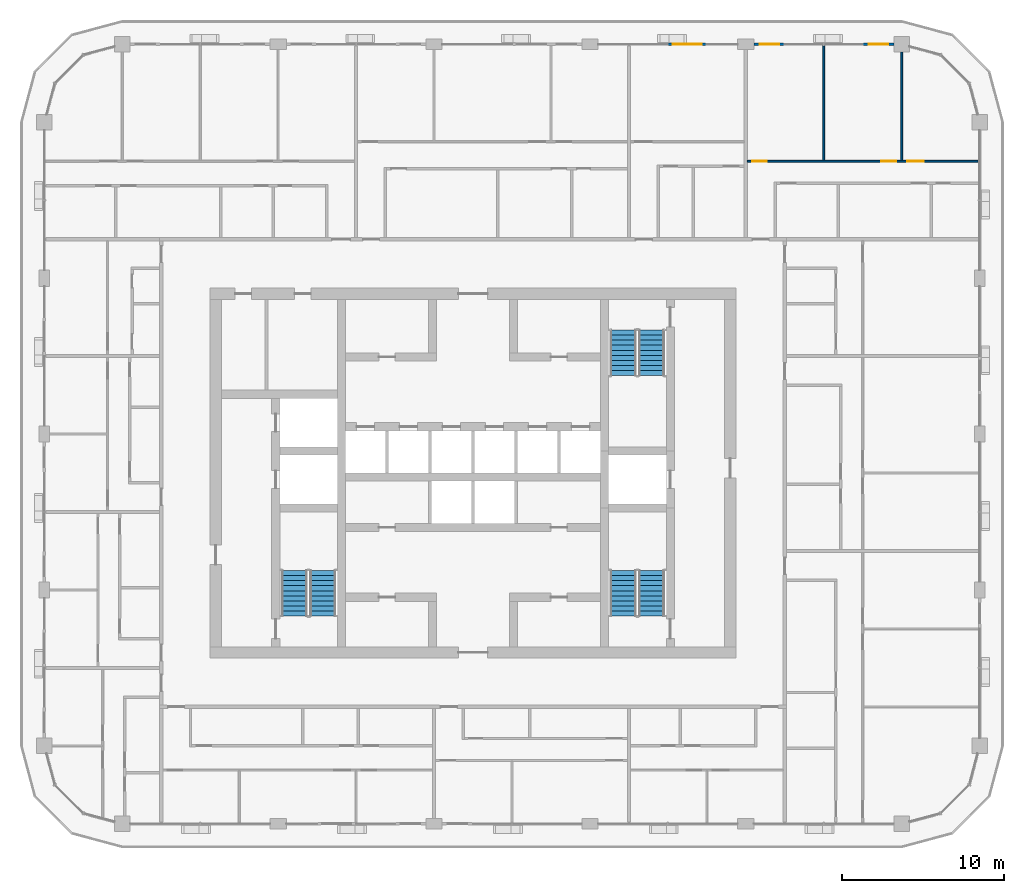
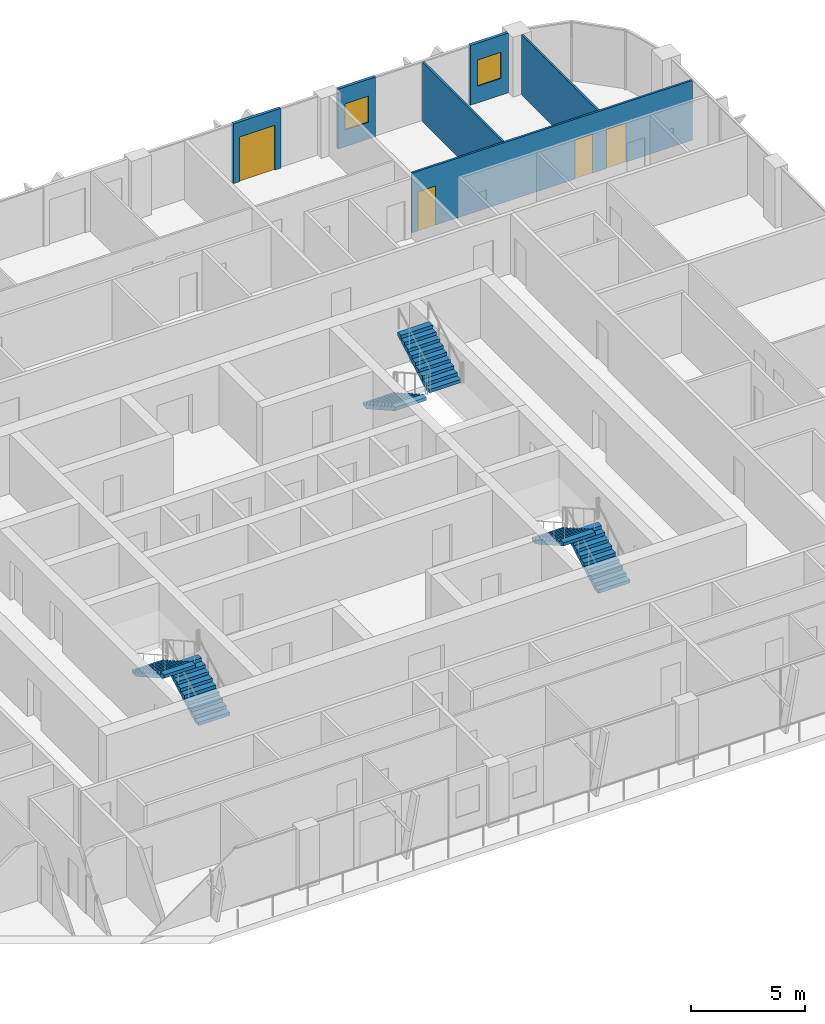
# One storey, part 15 of 22: 6 stair flights, 6 walls, 4 doors, 2 windows, 6 openings, 3 elements without a shape of their own.
"""IFC4 building model written with IfcOpenShell, lengths in metres."""

import ifcopenshell
import ifcopenshell.guid

model = None  # the IFC model being written
_history = None  # IfcOwnerHistory: only IFC2X3 demands one
_inside = {}  # id of a spatial element -> (the spatial element, [elements in it])
_under = {}  # id of a project, library or spatial element -> (it, [spatial elements below it])
_declared = {}  # id of a project -> (the project, [libraries it declares])
_typed = {}  # id of a type object -> (the type object, [elements of that type])
_made_of = {}  # id of a material, layer set ... -> (it, [elements and type objects made of it])


def new_model(schema):
    """Start an empty IFC model of exactly this schema.

    Asked for "IFC4X3", IfcOpenShell would pick the latest addendum, in which some entities
    have other attributes; the version numbers below select the first issue.
    IFC2X3 requires an IfcOwnerHistory on every rooted entity: one is made here for all.
    """
    global model, _history
    if schema == "IFC4X3":
        model = ifcopenshell.file(schema_version=(4, 3, 0, 0))
    else:
        model = ifcopenshell.file(schema=schema)
    _inside.clear()
    _under.clear()
    _declared.clear()
    _typed.clear()
    _made_of.clear()
    _history = None
    if model.schema == "IFC2X3":
        org = make("IfcOrganization", Name="unknown")
        user = make(
            "IfcPersonAndOrganization",
            ThePerson=make("IfcPerson", FamilyName="unknown"),
            TheOrganization=org,
        )
        app = make(
            "IfcApplication",
            ApplicationDeveloper=org,
            Version="unknown",
            ApplicationFullName="unknown",
            ApplicationIdentifier="unknown",
        )
        _history = make(
            "IfcOwnerHistory",
            OwningUser=user,
            OwningApplication=app,
            ChangeAction="ADDED",
            CreationDate=0,
        )
    return model


def make(cls, **values):
    """One entity of the class cls with the attributes given. An attribute that is None is left unset."""
    return model.create_entity(
        cls, **{name: value for name, value in values.items() if value is not None}
    )


def rooted(cls, **values):
    """An entity with a GlobalId (a new one), such as an element, a storey or a relation."""
    return make(cls, GlobalId=ifcopenshell.guid.new(), OwnerHistory=_history, **values)


def si_unit(unit_type, name, prefix=None):
    """IfcSIUnit, for example si_unit("LENGTHUNIT", "METRE", prefix="MILLI")."""
    return make("IfcSIUnit", UnitType=unit_type, Prefix=prefix, Name=name)


def assignment(units):
    """IfcUnitAssignment: the units of a project."""
    return None if units is None else make("IfcUnitAssignment", Units=units)


def point(xyz):
    """IfcCartesianPoint."""
    return None if xyz is None else make("IfcCartesianPoint", Coordinates=xyz)


def direction(xyz):
    """IfcDirection."""
    return None if xyz is None else make("IfcDirection", DirectionRatios=xyz)


def frame(location, z_axis=None, x_axis=None):
    """IfcAxis2Placement3D, a coordinate frame: its origin and axes. An axis left out is left unset."""
    return make(
        "IfcAxis2Placement3D",
        Location=point(location),
        Axis=direction(z_axis),
        RefDirection=direction(x_axis),
    )


def frame_2d(location, x_axis=None):
    """IfcAxis2Placement2D, a coordinate frame in the plane: its origin and x axis."""
    return make(
        "IfcAxis2Placement2D", Location=point(location), RefDirection=direction(x_axis)
    )


def origin():
    """The frame at (0, 0, 0) with its axes left unset."""
    return frame((0.0, 0.0, 0.0))


def place(relative_to, where):
    """IfcLocalPlacement: puts the frame where relative to a parent placement (None: the world)."""
    return make(
        "IfcLocalPlacement", PlacementRelTo=relative_to, RelativePlacement=where
    )


def context(
    kind, dimensions, precision=None, world=None, true_north=None, identifier=None
):
    """IfcGeometricRepresentationContext, for example the 3D "Model" context."""
    return make(
        "IfcGeometricRepresentationContext",
        ContextIdentifier=identifier,
        ContextType=kind,
        CoordinateSpaceDimension=dimensions,
        Precision=precision,
        WorldCoordinateSystem=world,
        TrueNorth=true_north,
    )


def subcontext(parent, identifier, kind, view, scale=None):
    """IfcGeometricRepresentationSubContext, for example "Body" below "Model"."""
    return make(
        "IfcGeometricRepresentationSubContext",
        ContextIdentifier=identifier,
        ContextType=kind,
        ParentContext=parent,
        TargetScale=scale,
        TargetView=view,
    )


def project(units=None, contexts=None):
    """IfcProject with its units and contexts."""
    return rooted(
        "IfcProject",
        Name="project",
        RepresentationContexts=contexts,
        UnitsInContext=assignment(units),
    )


def spatial(cls, under=None, at=None, **own):
    """A site, building, storey or space (cls), placed at a placement, below another one or the project."""
    s = rooted(cls, ObjectPlacement=at, **own)
    if under is not None:
        _under.setdefault(under.id(), (under, []))[1].append(s)
    return s


def polyline(points):
    """IfcPolyline through the points."""
    return make("IfcPolyline", Points=[point(p) for p in points])


def profile(cls, at=None, kind="AREA", **sizes):
    """A parametric profile (cls). Its sizes go by their IFC names, for example OverallWidth=200.0."""
    return make(cls, ProfileType=kind, Position=at, **sizes)


def rectangle(**sizes):
    """IfcRectangleProfileDef."""
    return profile("IfcRectangleProfileDef", **sizes)


def outline(outer, holes=None, kind="AREA"):
    """IfcArbitraryClosedProfileDef: a profile drawn as a closed curve; with holes, ...WithVoids."""
    if holes is None:
        return make("IfcArbitraryClosedProfileDef", ProfileType=kind, OuterCurve=outer)
    return make(
        "IfcArbitraryProfileDefWithVoids",
        ProfileType=kind,
        OuterCurve=outer,
        InnerCurves=holes,
    )


def extrude(swept, where, along, depth):
    """IfcExtrudedAreaSolid: the profile swept, set in the frame where, extruded along a direction by depth."""
    return make(
        "IfcExtrudedAreaSolid",
        SweptArea=swept,
        Position=where,
        ExtrudedDirection=direction(along),
        Depth=depth,
    )


def shape(context_of_items, identifier, shape_type, items):
    """IfcShapeRepresentation: the items that make up one representation, for example the "Body"."""
    return make(
        "IfcShapeRepresentation",
        ContextOfItems=context_of_items,
        RepresentationIdentifier=identifier,
        RepresentationType=shape_type,
        Items=items,
    )


def material(Name=None, Category=None):
    """IfcMaterial."""
    return make("IfcMaterial", Name=Name, Category=Category)


def layer(
    of_material, thickness, ventilated=None, Name=None, Category=None, Priority=None
):
    """IfcMaterialLayer: one layer of a wall or slab, of a material (None: an air gap)."""
    return make(
        "IfcMaterialLayer",
        Material=of_material,
        LayerThickness=thickness,
        IsVentilated=ventilated,
        Name=Name,
        Category=Category,
        Priority=Priority,
    )


def layer_set(layers, Name=None):
    """IfcMaterialLayerSet."""
    return make("IfcMaterialLayerSet", MaterialLayers=layers, LayerSetName=Name)


def made_of(thing, what):
    """Note that an element or type object is made of a material, layer set ...; save() writes the relation."""
    if what is not None:
        _made_of.setdefault(what.id(), (what, []))[1].append(thing)
    return thing


def type_object(cls, material=None, **own):
    """A type object (cls), such as IfcWallType, which elements share."""
    return made_of(rooted(cls, **own), material)


def element(
    cls,
    number,
    at=None,
    inside=None,
    cuts=None,
    type_object=None,
    material=None,
    context=None,
    identifier="Body",
    shape_type=None,
    held_by="IfcProductDefinitionShape",
    body=None,
    shapes=None,
    **own,
):
    """One element of the class cls, such as IfcWall. Its Tag is "e" and its number.

    at: its placement. inside: the storey or other place that contains it. cuts: it is an
    opening in that element (IfcRelVoidsElement). A single representation is given by context,
    identifier, shape_type and body (its items); several are given by shapes. held_by: the class
    of the entity that holds the representations. save() writes the other relations.
    """
    e = rooted(cls, Tag="e%d" % number, ObjectPlacement=at, **own)
    if body is not None:
        shapes = [shape(context, identifier, shape_type, body)]
    if shapes is not None:
        e.Representation = make(held_by, Representations=shapes)
    if inside is not None:
        _inside.setdefault(inside.id(), (inside, []))[1].append(e)
    if cuts is not None:
        rooted(
            "IfcRelVoidsElement", RelatingBuildingElement=cuts, RelatedOpeningElement=e
        )
    if type_object is not None:
        _typed.setdefault(type_object.id(), (type_object, []))[1].append(e)
    return made_of(e, material)


def fill(opening, filler):
    """IfcRelFillsElement: the door or window that sits in an opening."""
    return rooted(
        "IfcRelFillsElement",
        RelatingOpeningElement=opening,
        RelatedBuildingElement=filler,
    )


def aggregate(whole, parts):
    """IfcRelAggregates: a whole, such as a stair, and the parts it consists of."""
    return rooted("IfcRelAggregates", RelatingObject=whole, RelatedObjects=parts)


def save(model, path):
    """Write the relations noted so far, then the file.

    IfcRelAggregates (storeys below a building ...), IfcRelContainedInSpatialStructure (elements
    in a storey), IfcRelDefinesByType, IfcRelAssociatesMaterial and IfcRelDeclares: one each for
    every whole, place, type object, material and project.
    """
    for whole, parts in _under.values():
        aggregate(whole, parts)
    for where, things in _inside.values():
        rooted(
            "IfcRelContainedInSpatialStructure",
            RelatedElements=things,
            RelatingStructure=where,
        )
    for kind, things in _typed.values():
        rooted("IfcRelDefinesByType", RelatedObjects=things, RelatingType=kind)
    for what, things in _made_of.values():
        rooted("IfcRelAssociatesMaterial", RelatedObjects=things, RelatingMaterial=what)
    for by, libraries in _declared.values():
        rooted("IfcRelDeclares", RelatingContext=by, RelatedDefinitions=libraries)
    model.write(path)


model = new_model("IFC4")

# Units and contexts
model_context = context("Model", 3, precision=1e-05, world=origin(), true_north=direction((0.0, 1.0)))
body_context = subcontext(model_context, "Body", "Model", "MODEL_VIEW")
ifc_project = project(units=[si_unit("LENGTHUNIT", "METRE"), si_unit("AREAUNIT", "SQUARE_METRE"), si_unit("VOLUMEUNIT", "CUBIC_METRE"), si_unit("PLANEANGLEUNIT", "RADIAN"), si_unit("MASSUNIT", "GRAM", prefix="KILO")], contexts=[model_context])

# Site, building, storey
site_placement = place(None, origin())
site = spatial("IfcSite", under=ifc_project, at=site_placement, CompositionType="ELEMENT")
building_placement = place(site_placement, origin())
building = spatial("IfcBuilding", under=site, at=building_placement, Name="Madar Terraces", CompositionType="ELEMENT")
storey_placement = place(building_placement, frame((0.0, 0.0, 208.800048828125)))
storey = spatial("IfcBuildingStorey", under=building, at=storey_placement, Name="L54", CompositionType="ELEMENT", Elevation=208.800048828125)

# Wall, opening, window
ifc_material_1 = material(Name="Aluminium composite panel, black, over insulated backing", Category="aluminium")
ifc_layer_1 = layer(ifc_material_1, 0.14990234375)
ifc_layer_set_1 = layer_set([ifc_layer_1], Name="Facade bay panel 150")
wall_type_1 = type_object("IfcWallType", Name="Facade bay panel 150", PredefinedType="SOLIDWALL", material=ifc_layer_set_1)
wall_1_placement = place(storey_placement, frame((57.125, 52.800048828125, 0.0), z_axis=(0.0, 0.0, 1.0), x_axis=(-1.0, 0.0, 0.0)))
wall_1 = element("IfcWall", 1, at=wall_1_placement, inside=storey, type_object=wall_type_1, Name="Facade bay panel", PredefinedType="SOLIDWALL", context=body_context, shape_type="SweptSolid", body=[
    extrude(rectangle(XDim=1.925048828125, YDim=0.14990234375, at=frame_2d((0.96240234375, 0.0))), origin(), (0.0, 0.0, 1.0), 3.199951171875),
])
opening_1_placement = place(wall_1_placement, frame((0.362548828125, 0.0, 0.89990234375)))
opening_1 = element("IfcOpeningElement", 2, at=opening_1_placement, cuts=wall_1, Name="Opening W1", PredefinedType="OPENING", context=body_context, shape_type="SweptSolid", body=[
    extrude(rectangle(XDim=1.199951171875, YDim=1.39990234375, at=frame_2d((0.60009765625, 0.699951171875))), frame((0.0, 0.0849609375, 0.0), z_axis=(0.0, -1.0, 0.0), x_axis=(1.0, 0.0, 0.0)), (0.0, 0.0, 1.0), 0.169921875),
])
ifc_material_2 = material(Name="Glass, clear, with black aluminium frame", Category="aluminium")
window_type = type_object("IfcWindowType", Name="Vent window 1200 x 1400", PartitioningType="SINGLE_PANEL", PredefinedType="WINDOW", material=ifc_material_2)
window_1_placement = place(opening_1_placement, origin())
window_1 = element("IfcWindow", 3, at=window_1_placement, inside=storey, type_object=window_type, Name="Operable vent window", OverallHeight=1.39990234375, OverallWidth=1.199951171875, PartitioningType="SINGLE_PANEL", PredefinedType="WINDOW", context=body_context, shape_type="SweptSolid", body=[
    extrude(rectangle(XDim=1.199951171875, YDim=1.39990234375, at=frame_2d((0.60009765625, 0.699951171875))), frame((0.0, 0.030029296875, 0.0), z_axis=(0.0, -1.0, 0.0), x_axis=(1.0, 0.0, 0.0)), (0.0, 0.0, 1.0), 0.06005859375),
])
fill(opening_1, window_1)

wall_2_placement = place(storey_placement, frame((50.39990234375, 52.800048828125, 0.0), z_axis=(0.0, 0.0, 1.0), x_axis=(-1.0, 0.0, 0.0)))
wall_2 = element("IfcWall", 4, at=wall_2_placement, inside=storey, type_object=wall_type_1, Name="Facade bay panel", PredefinedType="SOLIDWALL", context=body_context, shape_type="SweptSolid", body=[
    extrude(rectangle(XDim=1.89990234375, YDim=0.14990234375, at=frame_2d((0.949951171875, 0.0))), origin(), (0.0, 0.0, 1.0), 3.199951171875),
])
opening_2_placement = place(wall_2_placement, frame((0.35009765625, 0.0, 0.89990234375)))
opening_2 = element("IfcOpeningElement", 5, at=opening_2_placement, cuts=wall_2, Name="Opening W1", PredefinedType="OPENING", context=body_context, shape_type="SweptSolid", body=[
    extrude(rectangle(XDim=1.199951171875, YDim=1.39990234375, at=frame_2d((0.60009765625, 0.699951171875))), frame((0.0, 0.0849609375, 0.0), z_axis=(0.0, -1.0, 0.0), x_axis=(1.0, 0.0, 0.0)), (0.0, 0.0, 1.0), 0.169921875),
])
window_2_placement = place(opening_2_placement, origin())
window_2 = element("IfcWindow", 6, at=window_2_placement, inside=storey, type_object=window_type, Name="Operable vent window", OverallHeight=1.39990234375, OverallWidth=1.199951171875, PartitioningType="SINGLE_PANEL", PredefinedType="WINDOW", context=body_context, shape_type="SweptSolid", body=[
    extrude(rectangle(XDim=1.199951171875, YDim=1.39990234375, at=frame_2d((0.60009765625, 0.699951171875))), frame((0.0, 0.030029296875, 0.0), z_axis=(0.0, -1.0, 0.0), x_axis=(1.0, 0.0, 0.0)), (0.0, 0.0, 1.0), 0.06005859375),
])
fill(opening_2, window_2)

# Wall, opening, door
wall_3_placement = place(storey_placement, frame((45.60009765625, 52.800048828125, 0.0), z_axis=(0.0, 0.0, 1.0), x_axis=(-1.0, 0.0, 0.0)))
wall_3 = element("IfcWall", 7, at=wall_3_placement, inside=storey, type_object=wall_type_1, Name="Facade bay panel", PredefinedType="SOLIDWALL", context=body_context, shape_type="SweptSolid", body=[
    extrude(rectangle(XDim=2.400146484375, YDim=0.14990234375, at=frame_2d((1.2001953125, 0.0))), origin(), (0.0, 0.0, 1.0), 3.199951171875),
])
opening_3_placement = place(wall_3_placement, frame((0.300048828125, 0.0, 0.0)))
opening_3 = element("IfcOpeningElement", 8, at=opening_3_placement, cuts=wall_3, Name="Opening ED1", PredefinedType="OPENING", context=body_context, shape_type="SweptSolid", body=[
    extrude(rectangle(XDim=1.800048828125, YDim=2.39990234375, at=frame_2d((0.89990234375, 1.199951171875))), frame((0.0, 0.0849609375, 0.0), z_axis=(0.0, -1.0, 0.0), x_axis=(1.0, 0.0, 0.0)), (0.0, 0.0, 1.0), 0.169921875),
])
ifc_material_3 = material(Name="Glass, clear, with black aluminium frame", Category="aluminium")
door_type_1 = type_object("IfcDoorType", Name="Balcony and terrace sliding door 1800 x 2400", OperationType="SLIDING_TO_LEFT", PredefinedType="DOOR", material=ifc_material_3)
door_1_placement = place(opening_3_placement, origin())
door_1 = element("IfcDoor", 9, at=door_1_placement, inside=storey, type_object=door_type_1, Name="Balcony door", OperationType="SLIDING_TO_LEFT", OverallHeight=2.39990234375, OverallWidth=1.800048828125, PredefinedType="DOOR", context=body_context, shape_type="SweptSolid", body=[
    extrude(rectangle(XDim=1.800048828125, YDim=2.39990234375, at=frame_2d((0.89990234375, 1.199951171875))), frame((0.0, 0.02490234375, 0.0), z_axis=(0.0, -1.0, 0.0), x_axis=(1.0, 0.0, 0.0)), (0.0, 0.0, 1.0), 0.050048828125),
])
fill(opening_3, door_1)

# Walls
ifc_material_4 = material(Name="Gypsum board on steel studs", Category="steel")
ifc_layer_2 = layer(ifc_material_4, 0.10009765625)
ifc_layer_set_2 = layer_set([ifc_layer_2], Name="Flat partition 100")
wall_type_2 = type_object("IfcWallType", Name="Flat partition 100", PredefinedType="PARTITIONING", material=ifc_layer_set_2)
wall_4_placement = place(storey_placement, frame((52.800048828125, 45.64990234375, 0.0), z_axis=(0.0, 0.0, 1.0), x_axis=(0.0, 1.0, 0.0)))
element("IfcWall", 10, at=wall_4_placement, inside=storey, type_object=wall_type_2, Name="Flat partition 100", PredefinedType="PARTITIONING", context=body_context, shape_type="SweptSolid", body=[
    extrude(rectangle(XDim=7.050048828125, YDim=0.10009765625, at=frame_2d((3.52490234375, 0.0))), origin(), (0.0, 0.0, 1.0), 3.199951171875),
])
wall_5_placement = place(storey_placement, frame((57.60009765625, 45.64990234375, 0.0), z_axis=(0.0, 0.0, 1.0), x_axis=(0.0, 1.0, 0.0)))
element("IfcWall", 11, at=wall_5_placement, inside=storey, type_object=wall_type_2, Name="Flat partition 100", PredefinedType="PARTITIONING", context=body_context, shape_type="SweptSolid", body=[
    extrude(rectangle(XDim=6.675048828125, YDim=0.10009765625, at=frame_2d((3.33740234375, 0.0))), origin(), (0.0, 0.0, 1.0), 3.199951171875),
])

# Wall, openings, doors
wall_6_placement = place(storey_placement, frame((48.10009765625, 45.60009765625, 0.0), z_axis=(0.0, 0.0, 1.0), x_axis=(1.0, 0.0, 0.0)))
wall_6 = element("IfcWall", 12, at=wall_6_placement, inside=storey, type_object=wall_type_2, Name="Flat partition 100", PredefinedType="PARTITIONING", context=body_context, shape_type="SweptSolid", body=[
    extrude(rectangle(XDim=14.199951171875, YDim=0.10009765625, at=frame_2d((7.10009765625, 0.0))), origin(), (0.0, 0.0, 1.0), 3.199951171875),
])
opening_4_placement = place(wall_6_placement, frame((0.300048828125, 0.0, 0.0)))
opening_4 = element("IfcOpeningElement", 13, at=opening_4_placement, cuts=wall_6, Name="Opening D2", PredefinedType="OPENING", context=body_context, shape_type="SweptSolid", body=[
    extrude(rectangle(XDim=0.89990234375, YDim=2.10009765625, at=frame_2d((0.449951171875, 1.050048828125))), frame((0.0, 0.06005859375, 0.0), z_axis=(0.0, -1.0, 0.0), x_axis=(1.0, 0.0, 0.0)), (0.0, 0.0, 1.0), 0.1201171875),
])
opening_5_placement = place(wall_6_placement, frame((8.25, 0.0, 0.0)))
opening_5 = element("IfcOpeningElement", 14, at=opening_5_placement, cuts=wall_6, Name="Opening D2", PredefinedType="OPENING", context=body_context, shape_type="SweptSolid", body=[
    extrude(rectangle(XDim=0.89990234375, YDim=2.10009765625, at=frame_2d((0.449951171875, 1.050048828125))), frame((0.0, 0.06005859375, 0.0), z_axis=(0.0, -1.0, 0.0), x_axis=(1.0, 0.0, 0.0)), (0.0, 0.0, 1.0), 0.1201171875),
])
opening_6_placement = place(wall_6_placement, frame((9.85009765625, 0.0, 0.0)))
opening_6 = element("IfcOpeningElement", 15, at=opening_6_placement, cuts=wall_6, Name="Opening D3", PredefinedType="OPENING", context=body_context, shape_type="SweptSolid", body=[
    extrude(rectangle(XDim=1.0, YDim=2.10009765625, at=frame_2d((0.5, 1.050048828125))), frame((0.0, 0.06005859375, 0.0), z_axis=(0.0, -1.0, 0.0), x_axis=(1.0, 0.0, 0.0)), (0.0, 0.0, 1.0), 0.1201171875),
])
ifc_material_5 = material(Name="Timber door leaf", Category="wood")
door_type_2 = type_object("IfcDoorType", Name="Flat living room door 1000", OperationType="NOTDEFINED", PredefinedType="DOOR", material=ifc_material_5)
door_2_placement = place(opening_6_placement, origin())
door_2 = element("IfcDoor", 16, at=door_2_placement, inside=storey, type_object=door_type_2, Name="Flat living room door 1000", OperationType="SINGLE_SWING_LEFT", OverallHeight=2.10009765625, OverallWidth=1.0, PredefinedType="DOOR", context=body_context, shape_type="SweptSolid", body=[
    extrude(rectangle(XDim=1.0, YDim=2.10009765625, at=frame_2d((0.5, 1.050048828125))), frame((0.0, 0.02490234375, 0.0), z_axis=(0.0, -1.0, 0.0), x_axis=(1.0, 0.0, 0.0)), (0.0, 0.0, 1.0), 0.050048828125),
])
fill(opening_6, door_2)
ifc_material_6 = material(Name="Timber door leaf", Category="wood")
door_type_3 = type_object("IfcDoorType", Name="Flat room door 900", OperationType="NOTDEFINED", PredefinedType="DOOR", material=ifc_material_6)
door_3_placement = place(opening_4_placement, origin())
door_3 = element("IfcDoor", 17, at=door_3_placement, inside=storey, type_object=door_type_3, Name="Flat room door 900", OperationType="SINGLE_SWING_LEFT", OverallHeight=2.10009765625, OverallWidth=0.89990234375, PredefinedType="DOOR", context=body_context, shape_type="SweptSolid", body=[
    extrude(rectangle(XDim=0.89990234375, YDim=2.10009765625, at=frame_2d((0.449951171875, 1.050048828125))), frame((0.0, 0.02490234375, 0.0), z_axis=(0.0, -1.0, 0.0), x_axis=(1.0, 0.0, 0.0)), (0.0, 0.0, 1.0), 0.050048828125),
])
fill(opening_4, door_3)
door_4_placement = place(opening_5_placement, origin())
door_4 = element("IfcDoor", 18, at=door_4_placement, inside=storey, type_object=door_type_3, Name="Flat room door 900", OperationType="SINGLE_SWING_RIGHT", OverallHeight=2.10009765625, OverallWidth=0.89990234375, PredefinedType="DOOR", context=body_context, shape_type="SweptSolid", body=[
    extrude(rectangle(XDim=0.89990234375, YDim=2.10009765625, at=frame_2d((0.449951171875, 1.050048828125))), frame((0.0, 0.02490234375, 0.0), z_axis=(0.0, -1.0, 0.0), x_axis=(1.0, 0.0, 0.0)), (0.0, 0.0, 1.0), 0.050048828125),
])
fill(opening_5, door_4)

# Stair, stair flights
ifc_material_7 = material(Name="Concrete C50/60", Category="concrete")
stair_type_1 = type_object("IfcStairType", Name="Stair ST1 protected exit", PredefinedType="HALF_TURN_STAIR", material=ifc_material_7)
stair_1_placement = place(storey_placement, origin())
stair_1 = element("IfcStair", 19, at=stair_1_placement, inside=storey, type_object=stair_type_1, Name="L54 Protected Exit Stair ST1", PredefinedType="HALF_TURN_STAIR")
ifc_material_8 = material(Name="Concrete C50/60", Category="concrete")
stair_flight_type_1 = type_object("IfcStairFlightType", Name="Stair flight ST1-F4, 1600 wide, 10 risers", PredefinedType="STRAIGHT", material=ifc_material_8)
stair_flight_1_placement = place(storey_placement, frame((21.949951171875, 17.60009765625, 0.0), z_axis=(0.0, 0.0, 1.0), x_axis=(0.0, 1.0, 0.0)))
stair_flight_1 = element("IfcStairFlight", 20, at=stair_flight_1_placement, type_object=stair_flight_type_1, Name="ST1 flight 1", NumberOfRisers=10, NumberOfTreads=9, PredefinedType="STRAIGHT", RiserHeight=0.175, TreadLength=0.31, context=body_context, shape_type="SweptSolid", body=[
    extrude(outline(polyline([(0.0, 0.0), (0.0, 0.175048828125), (0.31005859375, 0.175048828125), (0.31005859375, 0.35009765625), (0.6201171875, 0.35009765625), (0.6201171875, 0.52490234375), (0.929931640625, 0.52490234375), (0.929931640625, 0.699951171875), (1.239990234375, 0.699951171875), (1.239990234375, 0.875), (1.550048828125, 0.875), (1.550048828125, 1.050048828125), (1.860107421875, 1.050048828125), (1.860107421875, 1.22509765625), (2.169921875, 1.22509765625), (2.169921875, 1.39990234375), (2.47998046875, 1.39990234375), (2.47998046875, 1.574951171875), (2.7900390625, 1.574951171875), (2.7900390625, 1.75), (2.7900390625, 1.40283203125), (0.304931640625, 0.0), (0.0, 0.0)])), frame((0.0, 0.800048828125, 0.0), z_axis=(0.0, -1.0, 0.0), x_axis=(1.0, 0.0, 0.0)), (0.0, 0.0, 1.0), 1.60009765625),
])
stair_flight_2_placement = place(storey_placement, frame((20.199951171875, 20.389892578125, 1.75), z_axis=(0.0, 0.0, 1.0), x_axis=(0.0, -1.0, 0.0)))
stair_flight_2 = element("IfcStairFlight", 21, at=stair_flight_2_placement, type_object=stair_flight_type_1, Name="ST1 flight 2", NumberOfRisers=10, NumberOfTreads=9, PredefinedType="STRAIGHT", RiserHeight=0.175, TreadLength=0.31, context=body_context, shape_type="SweptSolid", body=[
    extrude(outline(polyline([(0.0, 0.0), (0.0, 0.175048828125), (0.31005859375, 0.175048828125), (0.31005859375, 0.35009765625), (0.6201171875, 0.35009765625), (0.6201171875, 0.52490234375), (0.929931640625, 0.52490234375), (0.929931640625, 0.699951171875), (1.239990234375, 0.699951171875), (1.239990234375, 0.875), (1.550048828125, 0.875), (1.550048828125, 1.050048828125), (1.860107421875, 1.050048828125), (1.860107421875, 1.22509765625), (2.169921875, 1.22509765625), (2.169921875, 1.39990234375), (2.47998046875, 1.39990234375), (2.47998046875, 1.574951171875), (2.7900390625, 1.574951171875), (2.7900390625, 1.75), (2.7900390625, 1.40283203125), (0.304931640625, 0.0), (0.0, 0.0)])), frame((0.0, 0.800048828125, 0.0), z_axis=(0.0, -1.0, 0.0), x_axis=(1.0, 0.0, 0.0)), (0.0, 0.0, 1.0), 1.60009765625),
])
aggregate(stair_1, [stair_flight_1, stair_flight_2])

ifc_material_9 = material(Name="Concrete C50/60", Category="concrete")
stair_type_2 = type_object("IfcStairType", Name="Stair ST2 protected exit", PredefinedType="HALF_TURN_STAIR", material=ifc_material_9)
stair_2_placement = place(storey_placement, origin())
stair_2 = element("IfcStair", 22, at=stair_2_placement, inside=storey, type_object=stair_type_2, Name="L54 Protected Exit Stair ST2", PredefinedType="HALF_TURN_STAIR")
ifc_material_10 = material(Name="Concrete C50/60", Category="concrete")
stair_flight_type_2 = type_object("IfcStairFlightType", Name="Stair flight ST2-F4, 1600 wide, 10 risers", PredefinedType="STRAIGHT", material=ifc_material_10)
stair_flight_3_placement = place(storey_placement, frame((40.449951171875, 35.199951171875, 0.0), z_axis=(0.0, 0.0, 1.0), x_axis=(0.0, -1.0, 0.0)))
stair_flight_3 = element("IfcStairFlight", 23, at=stair_flight_3_placement, type_object=stair_flight_type_2, Name="ST2 flight 1", NumberOfRisers=10, NumberOfTreads=9, PredefinedType="STRAIGHT", RiserHeight=0.175, TreadLength=0.31, context=body_context, shape_type="SweptSolid", body=[
    extrude(outline(polyline([(0.0, 0.0), (0.0, 0.175048828125), (0.31005859375, 0.175048828125), (0.31005859375, 0.35009765625), (0.6201171875, 0.35009765625), (0.6201171875, 0.52490234375), (0.929931640625, 0.52490234375), (0.929931640625, 0.699951171875), (1.239990234375, 0.699951171875), (1.239990234375, 0.875), (1.550048828125, 0.875), (1.550048828125, 1.050048828125), (1.860107421875, 1.050048828125), (1.860107421875, 1.22509765625), (2.169921875, 1.22509765625), (2.169921875, 1.39990234375), (2.47998046875, 1.39990234375), (2.47998046875, 1.574951171875), (2.7900390625, 1.574951171875), (2.7900390625, 1.75), (2.7900390625, 1.40283203125), (0.304931640625, 0.0), (0.0, 0.0)])), frame((0.0, 0.800048828125, 0.0), z_axis=(0.0, -1.0, 0.0), x_axis=(1.0, 0.0, 0.0)), (0.0, 0.0, 1.0), 1.60009765625),
])
stair_flight_4_placement = place(storey_placement, frame((42.199951171875, 32.409912109375, 1.75), z_axis=(0.0, 0.0, 1.0), x_axis=(0.0, 1.0, 0.0)))
stair_flight_4 = element("IfcStairFlight", 24, at=stair_flight_4_placement, type_object=stair_flight_type_2, Name="ST2 flight 2", NumberOfRisers=10, NumberOfTreads=9, PredefinedType="STRAIGHT", RiserHeight=0.175, TreadLength=0.31, context=body_context, shape_type="SweptSolid", body=[
    extrude(outline(polyline([(0.0, 0.0), (0.0, 0.175048828125), (0.31005859375, 0.175048828125), (0.31005859375, 0.35009765625), (0.6201171875, 0.35009765625), (0.6201171875, 0.52490234375), (0.929931640625, 0.52490234375), (0.929931640625, 0.699951171875), (1.239990234375, 0.699951171875), (1.239990234375, 0.875), (1.550048828125, 0.875), (1.550048828125, 1.050048828125), (1.860107421875, 1.050048828125), (1.860107421875, 1.22509765625), (2.169921875, 1.22509765625), (2.169921875, 1.39990234375), (2.47998046875, 1.39990234375), (2.47998046875, 1.574951171875), (2.7900390625, 1.574951171875), (2.7900390625, 1.75), (2.7900390625, 1.40283203125), (0.304931640625, 0.0), (0.0, 0.0)])), frame((0.0, 0.800048828125, 0.0), z_axis=(0.0, -1.0, 0.0), x_axis=(1.0, 0.0, 0.0)), (0.0, 0.0, 1.0), 1.60009765625),
])
aggregate(stair_2, [stair_flight_3, stair_flight_4])

ifc_material_11 = material(Name="Concrete C50/60", Category="concrete")
stair_type_3 = type_object("IfcStairType", Name="Stair ST3 protected exit", PredefinedType="HALF_TURN_STAIR", material=ifc_material_11)
stair_3_placement = place(storey_placement, origin())
stair_3 = element("IfcStair", 25, at=stair_3_placement, inside=storey, type_object=stair_type_3, Name="L54 Protected Exit Stair ST3", PredefinedType="HALF_TURN_STAIR")
ifc_material_12 = material(Name="Concrete C50/60", Category="concrete")
stair_flight_type_3 = type_object("IfcStairFlightType", Name="Stair flight ST3-F4, 1600 wide, 10 risers", PredefinedType="STRAIGHT", material=ifc_material_12)
stair_flight_5_placement = place(storey_placement, frame((42.199951171875, 17.60009765625, 0.0), z_axis=(0.0, 0.0, 1.0), x_axis=(0.0, 1.0, 0.0)))
stair_flight_5 = element("IfcStairFlight", 26, at=stair_flight_5_placement, type_object=stair_flight_type_3, Name="ST3 flight 1", NumberOfRisers=10, NumberOfTreads=9, PredefinedType="STRAIGHT", RiserHeight=0.175, TreadLength=0.31, context=body_context, shape_type="SweptSolid", body=[
    extrude(outline(polyline([(0.0, 0.0), (0.0, 0.175048828125), (0.31005859375, 0.175048828125), (0.31005859375, 0.35009765625), (0.6201171875, 0.35009765625), (0.6201171875, 0.52490234375), (0.929931640625, 0.52490234375), (0.929931640625, 0.699951171875), (1.239990234375, 0.699951171875), (1.239990234375, 0.875), (1.550048828125, 0.875), (1.550048828125, 1.050048828125), (1.860107421875, 1.050048828125), (1.860107421875, 1.22509765625), (2.169921875, 1.22509765625), (2.169921875, 1.39990234375), (2.47998046875, 1.39990234375), (2.47998046875, 1.574951171875), (2.7900390625, 1.574951171875), (2.7900390625, 1.75), (2.7900390625, 1.40283203125), (0.304931640625, 0.0), (0.0, 0.0)])), frame((0.0, 0.800048828125, 0.0), z_axis=(0.0, -1.0, 0.0), x_axis=(1.0, 0.0, 0.0)), (0.0, 0.0, 1.0), 1.60009765625),
])
stair_flight_6_placement = place(storey_placement, frame((40.449951171875, 20.389892578125, 1.75), z_axis=(0.0, 0.0, 1.0), x_axis=(0.0, -1.0, 0.0)))
stair_flight_6 = element("IfcStairFlight", 27, at=stair_flight_6_placement, type_object=stair_flight_type_3, Name="ST3 flight 2", NumberOfRisers=10, NumberOfTreads=9, PredefinedType="STRAIGHT", RiserHeight=0.175, TreadLength=0.31, context=body_context, shape_type="SweptSolid", body=[
    extrude(outline(polyline([(0.0, 0.0), (0.0, 0.175048828125), (0.31005859375, 0.175048828125), (0.31005859375, 0.35009765625), (0.6201171875, 0.35009765625), (0.6201171875, 0.52490234375), (0.929931640625, 0.52490234375), (0.929931640625, 0.699951171875), (1.239990234375, 0.699951171875), (1.239990234375, 0.875), (1.550048828125, 0.875), (1.550048828125, 1.050048828125), (1.860107421875, 1.050048828125), (1.860107421875, 1.22509765625), (2.169921875, 1.22509765625), (2.169921875, 1.39990234375), (2.47998046875, 1.39990234375), (2.47998046875, 1.574951171875), (2.7900390625, 1.574951171875), (2.7900390625, 1.75), (2.7900390625, 1.40283203125), (0.304931640625, 0.0), (0.0, 0.0)])), frame((0.0, 0.800048828125, 0.0), z_axis=(0.0, -1.0, 0.0), x_axis=(1.0, 0.0, 0.0)), (0.0, 0.0, 1.0), 1.60009765625),
])
aggregate(stair_3, [stair_flight_5, stair_flight_6])

save(model, "model.ifc")
